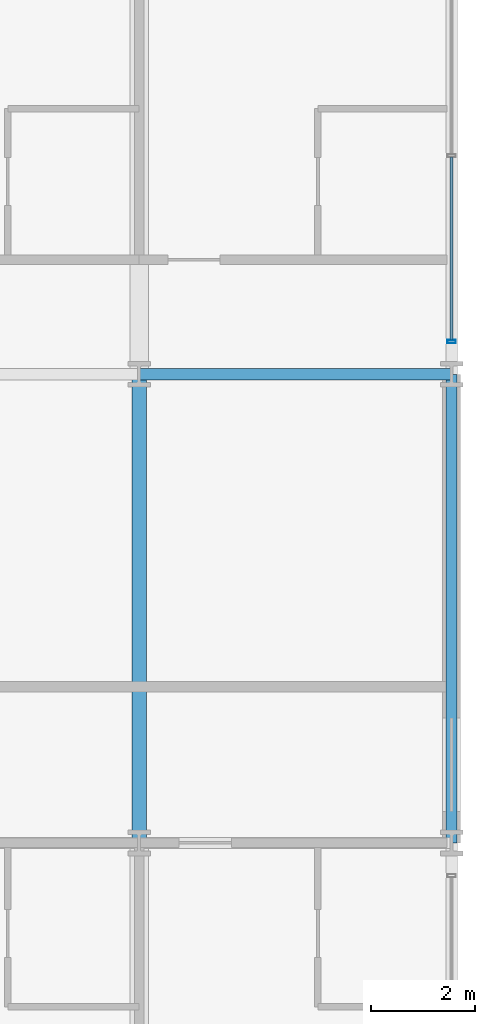
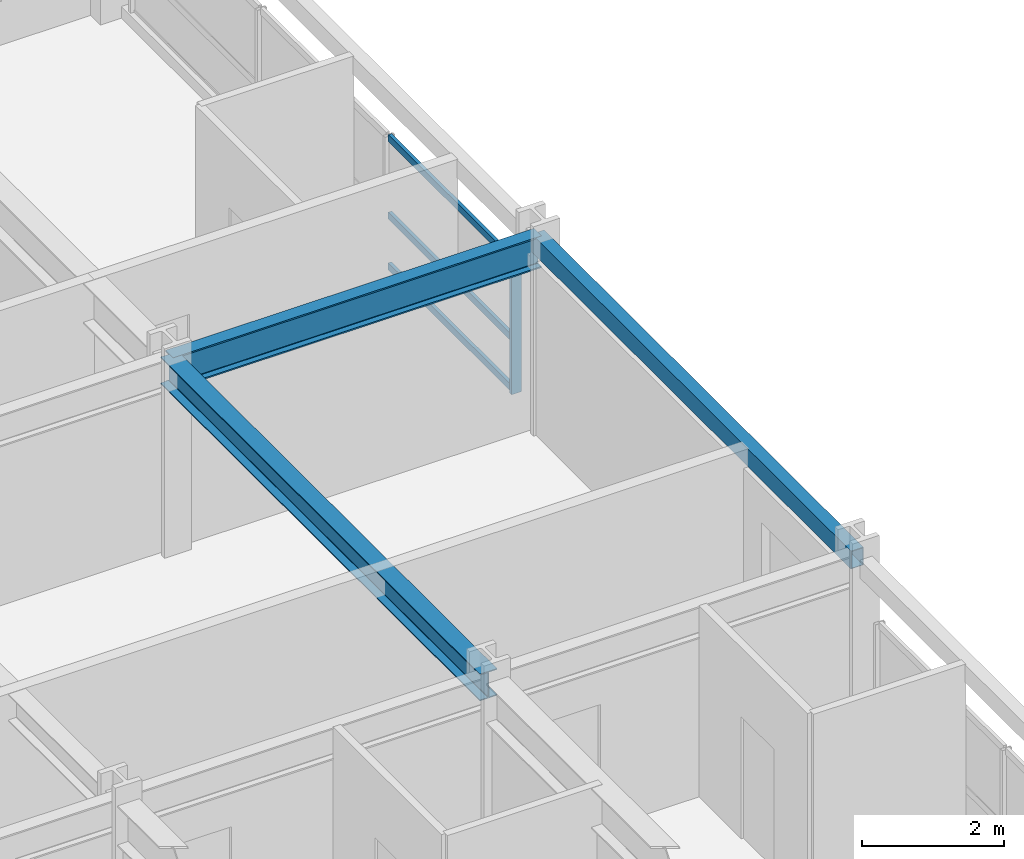
# One storey, part 13 of 22: 4 members, 3 beams, 1 element without a shape of its own.
"""IFC4 building model written with IfcOpenShell, lengths in metres."""

from ifc_helpers import new_model, si_unit, direction, frame, origin, origin_2d, place, context, subcontext, project, spatial, hollow_rectangle, i_section, extrude, material, material_profile, profile_set, type_object, element, aggregate, save


model = new_model("IFC4")

# Units and contexts
model_context = context("Model", 3, precision=1e-05, world=origin(), true_north=direction((0.0, 1.0)))
body_context = subcontext(model_context, "Body", "Model", "MODEL_VIEW")
ifc_project = project(units=[si_unit("LENGTHUNIT", "METRE"), si_unit("AREAUNIT", "SQUARE_METRE"), si_unit("VOLUMEUNIT", "CUBIC_METRE"), si_unit("PLANEANGLEUNIT", "RADIAN"), si_unit("MASSUNIT", "GRAM", prefix="KILO")], contexts=[model_context])

# Site, building, storey
site_placement = place(None, origin())
site = spatial("IfcSite", under=ifc_project, at=site_placement, CompositionType="ELEMENT")
building_placement = place(site_placement, origin())
building = spatial("IfcBuilding", under=site, at=building_placement, Name="Kaldorvane Square Convention Centre", CompositionType="ELEMENT")
storey_placement = place(building_placement, frame((0.0, 0.0, 34.80000305175781)))
storey = spatial("IfcBuildingStorey", under=building, at=storey_placement, Name="L07", CompositionType="ELEMENT", Elevation=34.80000305175781)

# Beams
ifc_material_1 = material(Name="Steel ASTM A992 Gr. 50", Category="steel")
ifc_material_profile_1 = material_profile(ifc_material_1, i_section(OverallWidth=0.213897705078125, OverallDepth=0.549102783203125, WebThickness=0.0146942138671875, FlangeThickness=0.0236053466796875, FilletRadius=0.0126953125, at=origin_2d()), Name="W21X93")
ifc_profile_set_1 = profile_set([ifc_material_profile_1], Name="Steel ASTM A992 Gr. 50")
beam_type_1 = type_object("IfcBeamType", Name="BM-GR-W21X93", PredefinedType="BEAM", material=ifc_profile_set_1)
beam_1_placement = place(storey_placement, frame((90.0, 105.0, 3.0114898681640625), z_axis=(1.0, 0.0, 0.0), x_axis=(0.0, 1.0, 0.0)))
element("IfcBeam", 1, at=beam_1_placement, inside=storey, type_object=beam_type_1, Name="Primary Girder (L07)", PredefinedType="BEAM", context=body_context, shape_type="SweptSolid", body=[
    extrude(i_section(OverallWidth=0.213897705078125, OverallDepth=0.549102783203125, WebThickness=0.0146942138671875, FlangeThickness=0.0236053466796875, FilletRadius=0.0126953125, at=origin_2d()), origin(), (0.0, 0.0, 1.0), 6.0),
])
ifc_material_profile_2 = material_profile(ifc_material_1, i_section(OverallWidth=0.2799072265625, OverallDepth=0.462799072265625, WebThickness=0.01080322265625, FlangeThickness=0.017303466796875, FilletRadius=0.01019287109375, at=origin_2d()), Name="W18X76")
ifc_profile_set_2 = profile_set([ifc_material_profile_2], Name="Steel ASTM A992 Gr. 50")
beam_type_2 = type_object("IfcBeamType", Name="BM-JS-W18X76", PredefinedType="JOIST", material=ifc_profile_set_2)
beam_2_placement = place(storey_placement, frame((90.0, 96.0, 3.054595947265625), z_axis=(0.0, 1.0, 0.0), x_axis=(-1.0, 0.0, 0.0)))
element("IfcBeam", 2, at=beam_2_placement, inside=storey, type_object=beam_type_2, Name="Transverse Girder (L07)", PredefinedType="JOIST", context=body_context, shape_type="SweptSolid", body=[
    extrude(i_section(OverallWidth=0.2799072265625, OverallDepth=0.462799072265625, WebThickness=0.01080322265625, FlangeThickness=0.017303466796875, FilletRadius=0.01019287109375, at=origin_2d()), origin(), (0.0, 0.0, 1.0), 9.0),
])
ifc_material_2 = material(Name="Steel ASTM A500 Gr. C", Category="steel")
ifc_material_profile_3 = material_profile(ifc_material_2, hollow_rectangle(XDim=0.2032012939453125, YDim=0.3047943115234375, WallThickness=0.0088958740234375, at=origin_2d()), Name="HSS12X8X3/8")
ifc_profile_set_3 = profile_set([ifc_material_profile_3], Name="Steel ASTM A500 Gr. C")
beam_type_3 = type_object("IfcBeamType", Name="BM-SP-HSS12", PredefinedType="SPANDREL", material=ifc_profile_set_3)
beam_3_placement = place(storey_placement, frame((96.0, 96.0, 3.1335906982421875), z_axis=(0.0, 1.0, 0.0), x_axis=(-1.0, 0.0, 0.0)))
element("IfcBeam", 3, at=beam_3_placement, inside=storey, type_object=beam_type_3, Name="End Spandrel (L07)", PredefinedType="SPANDREL", context=body_context, shape_type="SweptSolid", body=[
    extrude(hollow_rectangle(XDim=0.2032012939453125, YDim=0.3047943115234375, WallThickness=0.0088958740234375, at=origin_2d()), origin(), (0.0, 0.0, 1.0), 9.0),
])

# Curtain wall, members
ifc_material_3 = material(Name="Anodized Aluminum and Low-E Insulated Glazing", Category="aluminium")
curtain_wall_type = type_object("IfcCurtainWallType", Name="CW-UNI-HTL-A", PredefinedType="USERDEFINED", material=ifc_material_3)
curtain_wall_placement = place(storey_placement, origin())
curtain_wall = element("IfcCurtainWall", 4, at=curtain_wall_placement, inside=storey, type_object=curtain_wall_type, Name="Curtain Wall CW-10 (L07)", ObjectType="UNITISED GLAZING", PredefinedType="USERDEFINED")
ifc_material_profile_4 = material_profile(ifc_material_3, hollow_rectangle(XDim=0.05999755859375, YDim=0.160003662109375, WallThickness=0.003204345703125, at=origin_2d()), Name="CWM-160X60")
ifc_profile_set_4 = profile_set([ifc_material_profile_4], Name="Anodized Aluminum and Low-E Insulated Glazing")
member_type_1 = type_object("IfcMemberType", Name="CW-MUL-160", PredefinedType="MULLION", material=ifc_profile_set_4)
member_1_placement = place(storey_placement, frame((96.0, 105.6300048828125, 0.149993896484375), z_axis=(0.0, 0.0, 1.0), x_axis=(0.0, 1.0, 0.0)))
member_1 = element("IfcMember", 5, at=member_1_placement, type_object=member_type_1, Name="CW-10 mullion 1", PredefinedType="MULLION", context=body_context, shape_type="SweptSolid", body=[
    extrude(hollow_rectangle(XDim=0.05999755859375, YDim=0.160003662109375, WallThickness=0.003204345703125, at=origin_2d()), origin(), (0.0, 0.0, 1.0), 2.260009765625),
])
ifc_material_profile_5 = material_profile(ifc_material_3, hollow_rectangle(XDim=0.05499267578125, YDim=0.1199951171875, WallThickness=0.0030059814453125, at=origin_2d()), Name="CWT-120X55")
ifc_profile_set_5 = profile_set([ifc_material_profile_5], Name="Anodized Aluminum and Low-E Insulated Glazing")
member_type_2 = type_object("IfcMemberType", Name="CW-TRN-120", PredefinedType="USERDEFINED", material=ifc_profile_set_5)
member_2_placement = place(storey_placement, frame((96.0, 105.66000366210938, 0.177490234375), z_axis=(0.0, 1.0, 0.0), x_axis=(-1.0, 0.0, 0.0)))
member_2 = element("IfcMember", 6, at=member_2_placement, type_object=member_type_2, Name="CW-10 transom 1.1", ObjectType="TRANSOM", PredefinedType="USERDEFINED", context=body_context, shape_type="SweptSolid", body=[
    extrude(hollow_rectangle(XDim=0.05499267578125, YDim=0.1199951171875, WallThickness=0.0030059814453125, at=origin_2d()), origin(), (0.0, 0.0, 1.0), 3.5099945068359375),
])
member_3_placement = place(storey_placement, frame((96.0, 105.66000366210938, 1.0500030517578125), z_axis=(0.0, 1.0, 0.0), x_axis=(-1.0, 0.0, 0.0)))
member_3 = element("IfcMember", 7, at=member_3_placement, type_object=member_type_2, Name="CW-10 transom 1.2", ObjectType="TRANSOM", PredefinedType="USERDEFINED", context=body_context, shape_type="SweptSolid", body=[
    extrude(hollow_rectangle(XDim=0.05499267578125, YDim=0.1199951171875, WallThickness=0.0030059814453125, at=origin_2d()), origin(), (0.0, 0.0, 1.0), 3.5099945068359375),
])
member_4_placement = place(storey_placement, frame((96.0, 105.66000366210938, 2.3824920654296875), z_axis=(0.0, 1.0, 0.0), x_axis=(-1.0, 0.0, 0.0)))
member_4 = element("IfcMember", 8, at=member_4_placement, type_object=member_type_2, Name="CW-10 transom 1.3", ObjectType="TRANSOM", PredefinedType="USERDEFINED", context=body_context, shape_type="SweptSolid", body=[
    extrude(hollow_rectangle(XDim=0.05499267578125, YDim=0.1199951171875, WallThickness=0.0030059814453125, at=origin_2d()), origin(), (0.0, 0.0, 1.0), 3.5099945068359375),
])
aggregate(curtain_wall, [member_1, member_2, member_3, member_4])

save(model, "model.ifc")
